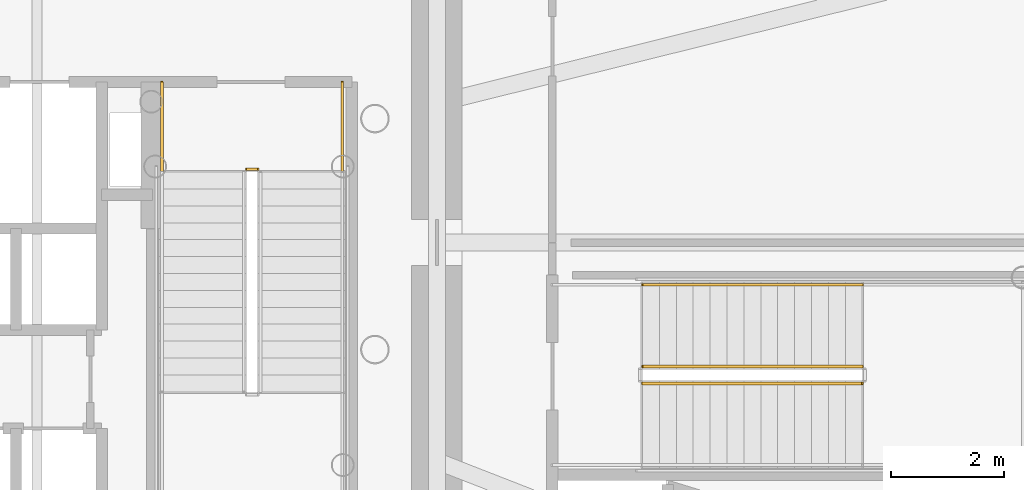
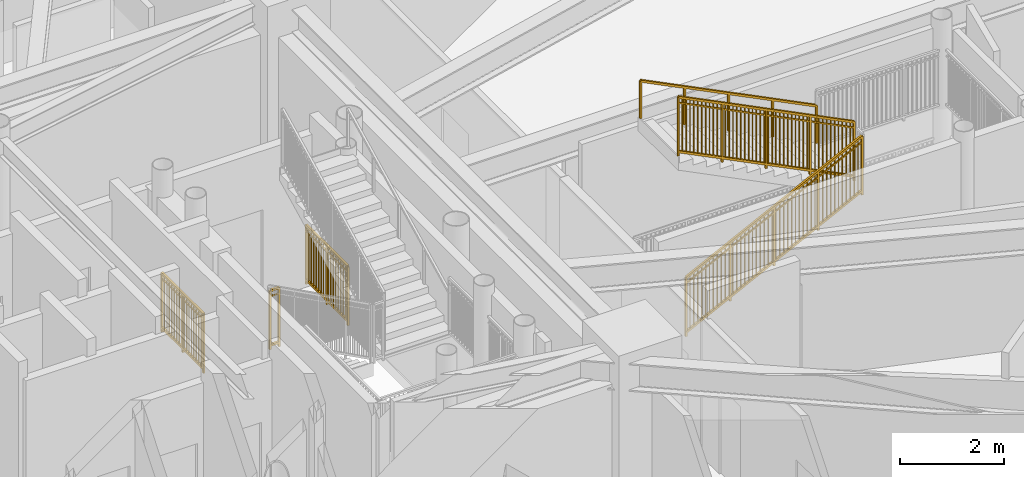
# One storey, part 30 of 32: 6 railings.
"""IFC4 building model written with IfcOpenShell, lengths in metres."""

from ifc_helpers import new_model, si_unit, direction, frame, origin, origin_2d, place, context, subcontext, project, spatial, rectangle, extrude, source, transform, mapped, material, type_object, element, save


model = new_model("IFC4")

# Units and contexts
model_context = context("Model", 3, precision=1e-05, world=origin(), true_north=direction((0.0, 1.0)))
body_context = subcontext(model_context, "Body", "Model", "MODEL_VIEW")
ifc_project = project(units=[si_unit("LENGTHUNIT", "METRE"), si_unit("AREAUNIT", "SQUARE_METRE"), si_unit("VOLUMEUNIT", "CUBIC_METRE"), si_unit("PLANEANGLEUNIT", "RADIAN"), si_unit("MASSUNIT", "GRAM", prefix="KILO")], contexts=[model_context])

# Site, building, storey
site_placement = place(None, origin())
site = spatial("IfcSite", under=ifc_project, at=site_placement, CompositionType="ELEMENT")
building_placement = place(site_placement, origin())
building = spatial("IfcBuilding", under=site, at=building_placement, Name="Linh Dai School and Residence Tower", CompositionType="ELEMENT")
storey_placement = place(building_placement, frame((0.0, 0.0, 40.800048828125)))
storey = spatial("IfcBuildingStorey", under=building, at=storey_placement, Name="L09", CompositionType="ELEMENT", Elevation=40.800048828125)

# Railings
ifc_material_1 = material(Name="Structural Steel S355JR", Category="steel")
railing_type_1 = type_object("IfcRailingType", Name="RL-ST-GUARD-1400", PredefinedType="GUARDRAIL", material=ifc_material_1)
shared_shape_1 = source(origin(), body_context, "Body", "SweptSolid", [
    extrude(rectangle(XDim=0.048095703125, YDim=0.048095703125, at=origin_2d()), frame((0.0, 0.0, 1.3759765625), z_axis=(1.0, 0.0, 0.0), x_axis=(0.0, 1.0, 0.0)), (0.0, 0.0, 1.0), 0.199951171875),
    extrude(rectangle(XDim=0.048095703125, YDim=0.048095703125, at=origin_2d()), frame((0.0, 0.0, 0.10009765625), z_axis=(1.0, 0.0, 0.0), x_axis=(0.0, 1.0, 0.0)), (0.0, 0.0, 1.0), 0.199951171875),
    extrude(rectangle(XDim=0.030029296875, YDim=0.030029296875, at=origin_2d()), frame((0.0, 0.0, 1.239990234375), z_axis=(1.0, 0.0, 0.0), x_axis=(0.0, 1.0, 0.0)), (0.0, 0.0, 1.0), 0.199951171875),
    extrude(rectangle(XDim=0.0419921875, YDim=0.0419921875, at=origin_2d()), origin(), (0.0, 0.0, 1.0), 1.3759765625),
    extrude(rectangle(XDim=0.0419921875, YDim=0.0419921875, at=origin_2d()), frame((0.199951171875, 0.0, 0.0)), (0.0, 0.0, 1.0), 1.3759765625),
])
railing_1_placement = place(storey_placement, frame((42.570068359375, 28.300048828125, 0.0)))
element("IfcRailing", 1, at=railing_1_placement, inside=storey, type_object=railing_type_1, Name="L09 ST2 stair guard 7", PredefinedType="GUARDRAIL", context=body_context, shape_type="MappedRepresentation", body=[
    mapped(shared_shape_1, transform((0.0, 0.0, 0.0), x_axis=(1.0, 0.0, 0.0), y_axis=(0.0, 1.0, 0.0), z_axis=(0.0, 0.0, 1.0), scale=1.0)),
])
shared_shape_2 = source(origin(), body_context, "Body", "SweptSolid", [
    extrude(rectangle(XDim=0.048095703125, YDim=0.048095703125, at=origin_2d()), frame((0.0, 0.0, 1.3759765625), z_axis=(0.0, -1.0, 0.0), x_axis=(1.0, 0.0, 0.0)), (0.0, 0.0, 1.0), 1.60009765625),
    extrude(rectangle(XDim=0.048095703125, YDim=0.048095703125, at=origin_2d()), frame((0.0, 0.0, 0.10009765625), z_axis=(0.0, -1.0, 0.0), x_axis=(1.0, 0.0, 0.0)), (0.0, 0.0, 1.0), 1.60009765625),
    extrude(rectangle(XDim=0.030029296875, YDim=0.030029296875, at=origin_2d()), frame((0.0, 0.0, 1.239990234375), z_axis=(0.0, -1.0, 0.0), x_axis=(1.0, 0.0, 0.0)), (0.0, 0.0, 1.0), 1.60009765625),
    extrude(rectangle(XDim=0.02001953125, YDim=0.02001953125, at=origin_2d()), frame((0.0, -0.09423828125, 0.10009765625)), (0.0, 0.0, 1.0), 1.251708984375),
    extrude(rectangle(XDim=0.02001953125, YDim=0.02001953125, at=origin_2d()), frame((0.0, -0.188232421875, 0.10009765625)), (0.0, 0.0, 1.0), 1.251708984375),
    extrude(rectangle(XDim=0.02001953125, YDim=0.02001953125, at=origin_2d()), frame((0.0, -0.282470703125, 0.10009765625)), (0.0, 0.0, 1.0), 1.251708984375),
    extrude(rectangle(XDim=0.02001953125, YDim=0.02001953125, at=origin_2d()), frame((0.0, -0.37646484375, 0.10009765625)), (0.0, 0.0, 1.0), 1.251708984375),
    extrude(rectangle(XDim=0.02001953125, YDim=0.02001953125, at=origin_2d()), frame((0.0, -0.470703125, 0.10009765625)), (0.0, 0.0, 1.0), 1.251708984375),
    extrude(rectangle(XDim=0.02001953125, YDim=0.02001953125, at=origin_2d()), frame((0.0, -0.564697265625, 0.10009765625)), (0.0, 0.0, 1.0), 1.251708984375),
    extrude(rectangle(XDim=0.02001953125, YDim=0.02001953125, at=origin_2d()), frame((0.0, -0.658935546875, 0.10009765625)), (0.0, 0.0, 1.0), 1.251708984375),
    extrude(rectangle(XDim=0.02001953125, YDim=0.02001953125, at=origin_2d()), frame((0.0, -0.7529296875, 0.10009765625)), (0.0, 0.0, 1.0), 1.251708984375),
    extrude(rectangle(XDim=0.02001953125, YDim=0.02001953125, at=origin_2d()), frame((0.0, -0.84716796875, 0.10009765625)), (0.0, 0.0, 1.0), 1.251708984375),
    extrude(rectangle(XDim=0.02001953125, YDim=0.02001953125, at=origin_2d()), frame((0.0, -0.941162109375, 0.10009765625)), (0.0, 0.0, 1.0), 1.251708984375),
    extrude(rectangle(XDim=0.02001953125, YDim=0.02001953125, at=origin_2d()), frame((0.0, -1.035400390625, 0.10009765625)), (0.0, 0.0, 1.0), 1.251708984375),
    extrude(rectangle(XDim=0.02001953125, YDim=0.02001953125, at=origin_2d()), frame((0.0, -1.12939453125, 0.10009765625)), (0.0, 0.0, 1.0), 1.251708984375),
    extrude(rectangle(XDim=0.02001953125, YDim=0.02001953125, at=origin_2d()), frame((0.0, -1.2236328125, 0.10009765625)), (0.0, 0.0, 1.0), 1.251708984375),
    extrude(rectangle(XDim=0.02001953125, YDim=0.02001953125, at=origin_2d()), frame((0.0, -1.317626953125, 0.10009765625)), (0.0, 0.0, 1.0), 1.251708984375),
    extrude(rectangle(XDim=0.02001953125, YDim=0.02001953125, at=origin_2d()), frame((0.0, -1.411865234375, 0.10009765625)), (0.0, 0.0, 1.0), 1.251708984375),
    extrude(rectangle(XDim=0.02001953125, YDim=0.02001953125, at=origin_2d()), frame((0.0, -1.505859375, 0.10009765625)), (0.0, 0.0, 1.0), 1.251708984375),
    extrude(rectangle(XDim=0.0419921875, YDim=0.0419921875, at=origin_2d()), origin(), (0.0, 0.0, 1.0), 1.3759765625),
    extrude(rectangle(XDim=0.0419921875, YDim=0.0419921875, at=origin_2d()), frame((0.0, -0.800048828125, 0.0)), (0.0, 0.0, 1.0), 1.3759765625),
    extrude(rectangle(XDim=0.0419921875, YDim=0.0419921875, at=origin_2d()), frame((0.0, -1.60009765625, 0.0)), (0.0, 0.0, 1.0), 1.3759765625),
])
for number, where, name in (
    (2, (41.070068359375, 29.85009765625, 0.0), "L09 ST2 stair guard 8"),
    (3, (44.27001953125, 29.85009765625, 0.0), "L09 ST2 stair guard 9"),
):
    element("IfcRailing", number, at=place(storey_placement, frame(where)), inside=storey, type_object=railing_type_1, Name=name, PredefinedType="GUARDRAIL", context=body_context, shape_type="MappedRepresentation", body=[
        mapped(shared_shape_2, transform((0.0, 0.0, 0.0), x_axis=(1.0, 0.0, 0.0), y_axis=(0.0, 1.0, 0.0), z_axis=(0.0, 0.0, 1.0), scale=1.0)),
    ])
shared_shape_3 = source(origin(), body_context, "Body", "SweptSolid", [
    extrude(rectangle(XDim=0.048095703125, YDim=0.048095703125, at=origin_2d()), frame((0.0, 0.0, 1.3759765625), z_axis=(0.894427191, 0.0, 0.4472135955), x_axis=(0.0, 1.0, 0.0)), (0.0, 0.0, 1.0), 4.360107421875),
    extrude(rectangle(XDim=0.048095703125, YDim=0.048095703125, at=origin_2d()), frame((0.0, 0.0, 0.10009765625), z_axis=(0.894427191, 0.0, 0.4472135955), x_axis=(0.0, 1.0, 0.0)), (0.0, 0.0, 1.0), 4.360107421875),
    extrude(rectangle(XDim=0.030029296875, YDim=0.030029296875, at=origin_2d()), frame((0.0, 0.0, 1.239990234375), z_axis=(0.894427191, 0.0, 0.4472135955), x_axis=(0.0, 1.0, 0.0)), (0.0, 0.0, 1.0), 4.360107421875),
    extrude(rectangle(XDim=0.02001953125, YDim=0.02001953125, at=origin_2d()), frame((0.086669921875, 0.0, 0.143310546875)), (0.0, 0.0, 1.0), 1.251708984375),
    extrude(rectangle(XDim=0.02001953125, YDim=0.02001953125, at=origin_2d()), frame((0.17333984375, 0.0, 0.186767578125)), (0.0, 0.0, 1.0), 1.251708984375),
    extrude(rectangle(XDim=0.02001953125, YDim=0.02001953125, at=origin_2d()), frame((0.260009765625, 0.0, 0.22998046875)), (0.0, 0.0, 1.0), 1.251708984375),
    extrude(rectangle(XDim=0.02001953125, YDim=0.02001953125, at=origin_2d()), frame((0.3466796875, 0.0, 0.2734375)), (0.0, 0.0, 1.0), 1.251708984375),
    extrude(rectangle(XDim=0.02001953125, YDim=0.02001953125, at=origin_2d()), frame((0.433349609375, 0.0, 0.316650390625)), (0.0, 0.0, 1.0), 1.251708984375),
    extrude(rectangle(XDim=0.02001953125, YDim=0.02001953125, at=origin_2d()), frame((0.52001953125, 0.0, 0.360107421875)), (0.0, 0.0, 1.0), 1.251708984375),
    extrude(rectangle(XDim=0.02001953125, YDim=0.02001953125, at=origin_2d()), frame((0.606689453125, 0.0, 0.4033203125)), (0.0, 0.0, 1.0), 1.251708984375),
    extrude(rectangle(XDim=0.02001953125, YDim=0.02001953125, at=origin_2d()), frame((0.693359375, 0.0, 0.44677734375)), (0.0, 0.0, 1.0), 1.251708984375),
    extrude(rectangle(XDim=0.02001953125, YDim=0.02001953125, at=origin_2d()), frame((0.780029296875, 0.0, 0.489990234375)), (0.0, 0.0, 1.0), 1.251708984375),
    extrude(rectangle(XDim=0.02001953125, YDim=0.02001953125, at=origin_2d()), frame((0.86669921875, 0.0, 0.533447265625)), (0.0, 0.0, 1.0), 1.251708984375),
    extrude(rectangle(XDim=0.02001953125, YDim=0.02001953125, at=origin_2d()), frame((1.0400390625, 0.0, 0.6201171875)), (0.0, 0.0, 1.0), 1.251708984375),
    extrude(rectangle(XDim=0.02001953125, YDim=0.02001953125, at=origin_2d()), frame((1.126708984375, 0.0, 0.663330078125)), (0.0, 0.0, 1.0), 1.251708984375),
    extrude(rectangle(XDim=0.02001953125, YDim=0.02001953125, at=origin_2d()), frame((1.21337890625, 0.0, 0.706787109375)), (0.0, 0.0, 1.0), 1.251708984375),
    extrude(rectangle(XDim=0.02001953125, YDim=0.02001953125, at=origin_2d()), frame((1.300048828125, 0.0, 0.75)), (0.0, 0.0, 1.0), 1.251708984375),
    extrude(rectangle(XDim=0.02001953125, YDim=0.02001953125, at=origin_2d()), frame((1.38671875, 0.0, 0.79345703125)), (0.0, 0.0, 1.0), 1.251708984375),
    extrude(rectangle(XDim=0.02001953125, YDim=0.02001953125, at=origin_2d()), frame((1.473388671875, 0.0, 0.836669921875)), (0.0, 0.0, 1.0), 1.251708984375),
    extrude(rectangle(XDim=0.02001953125, YDim=0.02001953125, at=origin_2d()), frame((1.56005859375, 0.0, 0.880126953125)), (0.0, 0.0, 1.0), 1.251708984375),
    extrude(rectangle(XDim=0.02001953125, YDim=0.02001953125, at=origin_2d()), frame((1.646728515625, 0.0, 0.92333984375)), (0.0, 0.0, 1.0), 1.251708984375),
    extrude(rectangle(XDim=0.02001953125, YDim=0.02001953125, at=origin_2d()), frame((1.7333984375, 0.0, 0.966796875)), (0.0, 0.0, 1.0), 1.251708984375),
    extrude(rectangle(XDim=0.02001953125, YDim=0.02001953125, at=origin_2d()), frame((1.820068359375, 0.0, 1.010009765625)), (0.0, 0.0, 1.0), 1.251708984375),
    extrude(rectangle(XDim=0.02001953125, YDim=0.02001953125, at=origin_2d()), frame((1.90673828125, 0.0, 1.053466796875)), (0.0, 0.0, 1.0), 1.251708984375),
    extrude(rectangle(XDim=0.02001953125, YDim=0.02001953125, at=origin_2d()), frame((1.9931640625, 0.0, 1.0966796875)), (0.0, 0.0, 1.0), 1.251708984375),
    extrude(rectangle(XDim=0.02001953125, YDim=0.02001953125, at=origin_2d()), frame((2.079833984375, 0.0, 1.14013671875)), (0.0, 0.0, 1.0), 1.251708984375),
    extrude(rectangle(XDim=0.02001953125, YDim=0.02001953125, at=origin_2d()), frame((2.16650390625, 0.0, 1.183349609375)), (0.0, 0.0, 1.0), 1.251708984375),
    extrude(rectangle(XDim=0.02001953125, YDim=0.02001953125, at=origin_2d()), frame((2.253173828125, 0.0, 1.226806640625)), (0.0, 0.0, 1.0), 1.251708984375),
    extrude(rectangle(XDim=0.02001953125, YDim=0.02001953125, at=origin_2d()), frame((2.33984375, 0.0, 1.27001953125)), (0.0, 0.0, 1.0), 1.251708984375),
    extrude(rectangle(XDim=0.02001953125, YDim=0.02001953125, at=origin_2d()), frame((2.426513671875, 0.0, 1.3134765625)), (0.0, 0.0, 1.0), 1.251708984375),
    extrude(rectangle(XDim=0.02001953125, YDim=0.02001953125, at=origin_2d()), frame((2.51318359375, 0.0, 1.356689453125)), (0.0, 0.0, 1.0), 1.251708984375),
    extrude(rectangle(XDim=0.02001953125, YDim=0.02001953125, at=origin_2d()), frame((2.599853515625, 0.0, 1.400146484375)), (0.0, 0.0, 1.0), 1.251708984375),
    extrude(rectangle(XDim=0.02001953125, YDim=0.02001953125, at=origin_2d()), frame((2.6865234375, 0.0, 1.443359375)), (0.0, 0.0, 1.0), 1.251708984375),
    extrude(rectangle(XDim=0.02001953125, YDim=0.02001953125, at=origin_2d()), frame((2.773193359375, 0.0, 1.48681640625)), (0.0, 0.0, 1.0), 1.251708984375),
    extrude(rectangle(XDim=0.02001953125, YDim=0.02001953125, at=origin_2d()), frame((2.85986328125, 0.0, 1.530029296875)), (0.0, 0.0, 1.0), 1.251708984375),
    extrude(rectangle(XDim=0.02001953125, YDim=0.02001953125, at=origin_2d()), frame((3.033203125, 0.0, 1.61669921875)), (0.0, 0.0, 1.0), 1.251708984375),
    extrude(rectangle(XDim=0.02001953125, YDim=0.02001953125, at=origin_2d()), frame((3.119873046875, 0.0, 1.66015625)), (0.0, 0.0, 1.0), 1.251708984375),
    extrude(rectangle(XDim=0.02001953125, YDim=0.02001953125, at=origin_2d()), frame((3.20654296875, 0.0, 1.703369140625)), (0.0, 0.0, 1.0), 1.251708984375),
    extrude(rectangle(XDim=0.02001953125, YDim=0.02001953125, at=origin_2d()), frame((3.293212890625, 0.0, 1.746826171875)), (0.0, 0.0, 1.0), 1.251708984375),
    extrude(rectangle(XDim=0.02001953125, YDim=0.02001953125, at=origin_2d()), frame((3.3798828125, 0.0, 1.7900390625)), (0.0, 0.0, 1.0), 1.251708984375),
    extrude(rectangle(XDim=0.02001953125, YDim=0.02001953125, at=origin_2d()), frame((3.466552734375, 0.0, 1.83349609375)), (0.0, 0.0, 1.0), 1.251708984375),
    extrude(rectangle(XDim=0.02001953125, YDim=0.02001953125, at=origin_2d()), frame((3.55322265625, 0.0, 1.876708984375)), (0.0, 0.0, 1.0), 1.251708984375),
    extrude(rectangle(XDim=0.02001953125, YDim=0.02001953125, at=origin_2d()), frame((3.639892578125, 0.0, 1.920166015625)), (0.0, 0.0, 1.0), 1.251708984375),
    extrude(rectangle(XDim=0.02001953125, YDim=0.02001953125, at=origin_2d()), frame((3.7265625, 0.0, 1.96337890625)), (0.0, 0.0, 1.0), 1.251708984375),
    extrude(rectangle(XDim=0.02001953125, YDim=0.02001953125, at=origin_2d()), frame((3.813232421875, 0.0, 2.0068359375)), (0.0, 0.0, 1.0), 1.251708984375),
    extrude(rectangle(XDim=0.0419921875, YDim=0.0419921875, at=origin_2d()), origin(), (0.0, 0.0, 1.0), 1.3759765625),
    extrude(rectangle(XDim=0.0419921875, YDim=0.0419921875, at=origin_2d()), frame((0.97509765625, 0.0, 0.487548828125)), (0.0, 0.0, 1.0), 1.3759765625),
    extrude(rectangle(XDim=0.0419921875, YDim=0.0419921875, at=origin_2d()), frame((1.949951171875, 0.0, 0.97509765625)), (0.0, 0.0, 1.0), 1.3759765625),
    extrude(rectangle(XDim=0.0419921875, YDim=0.0419921875, at=origin_2d()), frame((2.9248046875, 0.0, 1.46240234375)), (0.0, 0.0, 1.0), 1.3759765625),
    extrude(rectangle(XDim=0.0419921875, YDim=0.0419921875, at=origin_2d()), frame((3.89990234375, 0.0, 1.949951171875)), (0.0, 0.0, 1.0), 1.3759765625),
])
railing_2_placement = place(storey_placement, frame((49.60009765625, 24.5, 0.14990234375)))
element("IfcRailing", 4, at=railing_2_placement, inside=storey, type_object=railing_type_1, Name="L09 STS2 stair guard 1", PredefinedType="GUARDRAIL", context=body_context, shape_type="MappedRepresentation", body=[
    mapped(shared_shape_3, transform((0.0, 0.0, 0.0), x_axis=(1.0, 0.0, 0.0), y_axis=(0.0, 1.0, 0.0), z_axis=(0.0, 0.0, 1.0), scale=1.0)),
])
shared_shape_4 = source(origin(), body_context, "Body", "SweptSolid", [
    extrude(rectangle(XDim=0.048095703125, YDim=0.048095703125, at=origin_2d()), frame((0.0, 0.0, 1.3759765625), z_axis=(-0.894427191, 0.0, 0.4472135955), x_axis=(0.0, -1.0, 0.0)), (0.0, 0.0, 1.0), 4.360107421875),
    extrude(rectangle(XDim=0.048095703125, YDim=0.048095703125, at=origin_2d()), frame((0.0, 0.0, 0.10009765625), z_axis=(-0.894427191, 0.0, 0.4472135955), x_axis=(0.0, -1.0, 0.0)), (0.0, 0.0, 1.0), 4.360107421875),
    extrude(rectangle(XDim=0.030029296875, YDim=0.030029296875, at=origin_2d()), frame((0.0, 0.0, 1.239990234375), z_axis=(-0.894427191, 0.0, 0.4472135955), x_axis=(0.0, -1.0, 0.0)), (0.0, 0.0, 1.0), 4.360107421875),
    extrude(rectangle(XDim=0.02001953125, YDim=0.02001953125, at=origin_2d()), frame((-0.086669921875, 0.0, 0.143310546875)), (0.0, 0.0, 1.0), 1.251708984375),
    extrude(rectangle(XDim=0.02001953125, YDim=0.02001953125, at=origin_2d()), frame((-0.17333984375, 0.0, 0.186767578125)), (0.0, 0.0, 1.0), 1.251708984375),
    extrude(rectangle(XDim=0.02001953125, YDim=0.02001953125, at=origin_2d()), frame((-0.260009765625, 0.0, 0.22998046875)), (0.0, 0.0, 1.0), 1.251708984375),
    extrude(rectangle(XDim=0.02001953125, YDim=0.02001953125, at=origin_2d()), frame((-0.3466796875, 0.0, 0.2734375)), (0.0, 0.0, 1.0), 1.251708984375),
    extrude(rectangle(XDim=0.02001953125, YDim=0.02001953125, at=origin_2d()), frame((-0.433349609375, 0.0, 0.316650390625)), (0.0, 0.0, 1.0), 1.251708984375),
    extrude(rectangle(XDim=0.02001953125, YDim=0.02001953125, at=origin_2d()), frame((-0.52001953125, 0.0, 0.360107421875)), (0.0, 0.0, 1.0), 1.251708984375),
    extrude(rectangle(XDim=0.02001953125, YDim=0.02001953125, at=origin_2d()), frame((-0.606689453125, 0.0, 0.4033203125)), (0.0, 0.0, 1.0), 1.251708984375),
    extrude(rectangle(XDim=0.02001953125, YDim=0.02001953125, at=origin_2d()), frame((-0.693359375, 0.0, 0.44677734375)), (0.0, 0.0, 1.0), 1.251708984375),
    extrude(rectangle(XDim=0.02001953125, YDim=0.02001953125, at=origin_2d()), frame((-0.780029296875, 0.0, 0.489990234375)), (0.0, 0.0, 1.0), 1.251708984375),
    extrude(rectangle(XDim=0.02001953125, YDim=0.02001953125, at=origin_2d()), frame((-0.86669921875, 0.0, 0.533447265625)), (0.0, 0.0, 1.0), 1.251708984375),
    extrude(rectangle(XDim=0.02001953125, YDim=0.02001953125, at=origin_2d()), frame((-1.0400390625, 0.0, 0.6201171875)), (0.0, 0.0, 1.0), 1.251708984375),
    extrude(rectangle(XDim=0.02001953125, YDim=0.02001953125, at=origin_2d()), frame((-1.126708984375, 0.0, 0.663330078125)), (0.0, 0.0, 1.0), 1.251708984375),
    extrude(rectangle(XDim=0.02001953125, YDim=0.02001953125, at=origin_2d()), frame((-1.21337890625, 0.0, 0.706787109375)), (0.0, 0.0, 1.0), 1.251708984375),
    extrude(rectangle(XDim=0.02001953125, YDim=0.02001953125, at=origin_2d()), frame((-1.300048828125, 0.0, 0.75)), (0.0, 0.0, 1.0), 1.251708984375),
    extrude(rectangle(XDim=0.02001953125, YDim=0.02001953125, at=origin_2d()), frame((-1.38671875, 0.0, 0.79345703125)), (0.0, 0.0, 1.0), 1.251708984375),
    extrude(rectangle(XDim=0.02001953125, YDim=0.02001953125, at=origin_2d()), frame((-1.473388671875, 0.0, 0.836669921875)), (0.0, 0.0, 1.0), 1.251708984375),
    extrude(rectangle(XDim=0.02001953125, YDim=0.02001953125, at=origin_2d()), frame((-1.56005859375, 0.0, 0.880126953125)), (0.0, 0.0, 1.0), 1.251708984375),
    extrude(rectangle(XDim=0.02001953125, YDim=0.02001953125, at=origin_2d()), frame((-1.646728515625, 0.0, 0.92333984375)), (0.0, 0.0, 1.0), 1.251708984375),
    extrude(rectangle(XDim=0.02001953125, YDim=0.02001953125, at=origin_2d()), frame((-1.7333984375, 0.0, 0.966796875)), (0.0, 0.0, 1.0), 1.251708984375),
    extrude(rectangle(XDim=0.02001953125, YDim=0.02001953125, at=origin_2d()), frame((-1.820068359375, 0.0, 1.010009765625)), (0.0, 0.0, 1.0), 1.251708984375),
    extrude(rectangle(XDim=0.02001953125, YDim=0.02001953125, at=origin_2d()), frame((-1.90673828125, 0.0, 1.053466796875)), (0.0, 0.0, 1.0), 1.251708984375),
    extrude(rectangle(XDim=0.02001953125, YDim=0.02001953125, at=origin_2d()), frame((-1.9931640625, 0.0, 1.0966796875)), (0.0, 0.0, 1.0), 1.251708984375),
    extrude(rectangle(XDim=0.02001953125, YDim=0.02001953125, at=origin_2d()), frame((-2.079833984375, 0.0, 1.14013671875)), (0.0, 0.0, 1.0), 1.251708984375),
    extrude(rectangle(XDim=0.02001953125, YDim=0.02001953125, at=origin_2d()), frame((-2.16650390625, 0.0, 1.183349609375)), (0.0, 0.0, 1.0), 1.251708984375),
    extrude(rectangle(XDim=0.02001953125, YDim=0.02001953125, at=origin_2d()), frame((-2.253173828125, 0.0, 1.226806640625)), (0.0, 0.0, 1.0), 1.251708984375),
    extrude(rectangle(XDim=0.02001953125, YDim=0.02001953125, at=origin_2d()), frame((-2.33984375, 0.0, 1.27001953125)), (0.0, 0.0, 1.0), 1.251708984375),
    extrude(rectangle(XDim=0.02001953125, YDim=0.02001953125, at=origin_2d()), frame((-2.426513671875, 0.0, 1.3134765625)), (0.0, 0.0, 1.0), 1.251708984375),
    extrude(rectangle(XDim=0.02001953125, YDim=0.02001953125, at=origin_2d()), frame((-2.51318359375, 0.0, 1.356689453125)), (0.0, 0.0, 1.0), 1.251708984375),
    extrude(rectangle(XDim=0.02001953125, YDim=0.02001953125, at=origin_2d()), frame((-2.599853515625, 0.0, 1.400146484375)), (0.0, 0.0, 1.0), 1.251708984375),
    extrude(rectangle(XDim=0.02001953125, YDim=0.02001953125, at=origin_2d()), frame((-2.6865234375, 0.0, 1.443359375)), (0.0, 0.0, 1.0), 1.251708984375),
    extrude(rectangle(XDim=0.02001953125, YDim=0.02001953125, at=origin_2d()), frame((-2.773193359375, 0.0, 1.48681640625)), (0.0, 0.0, 1.0), 1.251708984375),
    extrude(rectangle(XDim=0.02001953125, YDim=0.02001953125, at=origin_2d()), frame((-2.85986328125, 0.0, 1.530029296875)), (0.0, 0.0, 1.0), 1.251708984375),
    extrude(rectangle(XDim=0.02001953125, YDim=0.02001953125, at=origin_2d()), frame((-3.033203125, 0.0, 1.61669921875)), (0.0, 0.0, 1.0), 1.251708984375),
    extrude(rectangle(XDim=0.02001953125, YDim=0.02001953125, at=origin_2d()), frame((-3.119873046875, 0.0, 1.66015625)), (0.0, 0.0, 1.0), 1.251708984375),
    extrude(rectangle(XDim=0.02001953125, YDim=0.02001953125, at=origin_2d()), frame((-3.20654296875, 0.0, 1.703369140625)), (0.0, 0.0, 1.0), 1.251708984375),
    extrude(rectangle(XDim=0.02001953125, YDim=0.02001953125, at=origin_2d()), frame((-3.293212890625, 0.0, 1.746826171875)), (0.0, 0.0, 1.0), 1.251708984375),
    extrude(rectangle(XDim=0.02001953125, YDim=0.02001953125, at=origin_2d()), frame((-3.3798828125, 0.0, 1.7900390625)), (0.0, 0.0, 1.0), 1.251708984375),
    extrude(rectangle(XDim=0.02001953125, YDim=0.02001953125, at=origin_2d()), frame((-3.466552734375, 0.0, 1.83349609375)), (0.0, 0.0, 1.0), 1.251708984375),
    extrude(rectangle(XDim=0.02001953125, YDim=0.02001953125, at=origin_2d()), frame((-3.55322265625, 0.0, 1.876708984375)), (0.0, 0.0, 1.0), 1.251708984375),
    extrude(rectangle(XDim=0.02001953125, YDim=0.02001953125, at=origin_2d()), frame((-3.639892578125, 0.0, 1.920166015625)), (0.0, 0.0, 1.0), 1.251708984375),
    extrude(rectangle(XDim=0.02001953125, YDim=0.02001953125, at=origin_2d()), frame((-3.7265625, 0.0, 1.96337890625)), (0.0, 0.0, 1.0), 1.251708984375),
    extrude(rectangle(XDim=0.02001953125, YDim=0.02001953125, at=origin_2d()), frame((-3.813232421875, 0.0, 2.0068359375)), (0.0, 0.0, 1.0), 1.251708984375),
    extrude(rectangle(XDim=0.0419921875, YDim=0.0419921875, at=origin_2d()), origin(), (0.0, 0.0, 1.0), 1.3759765625),
    extrude(rectangle(XDim=0.0419921875, YDim=0.0419921875, at=origin_2d()), frame((-0.97509765625, 0.0, 0.487548828125)), (0.0, 0.0, 1.0), 1.3759765625),
    extrude(rectangle(XDim=0.0419921875, YDim=0.0419921875, at=origin_2d()), frame((-1.949951171875, 0.0, 0.97509765625)), (0.0, 0.0, 1.0), 1.3759765625),
    extrude(rectangle(XDim=0.0419921875, YDim=0.0419921875, at=origin_2d()), frame((-2.9248046875, 0.0, 1.46240234375)), (0.0, 0.0, 1.0), 1.3759765625),
    extrude(rectangle(XDim=0.0419921875, YDim=0.0419921875, at=origin_2d()), frame((-3.89990234375, 0.0, 1.949951171875)), (0.0, 0.0, 1.0), 1.3759765625),
])
railing_3_placement = place(storey_placement, frame((53.5, 24.800048828125, 2.25)))
element("IfcRailing", 5, at=railing_3_placement, inside=storey, type_object=railing_type_1, Name="L09 STS2 stair guard 6", PredefinedType="GUARDRAIL", context=body_context, shape_type="MappedRepresentation", body=[
    mapped(shared_shape_4, transform((0.0, 0.0, 0.0), x_axis=(1.0, 0.0, 0.0), y_axis=(0.0, 1.0, 0.0), z_axis=(0.0, 0.0, 1.0), scale=1.0)),
])
ifc_material_2 = material(Name="Brushed Stainless Steel Handrail", Category="steel")
railing_type_2 = type_object("IfcRailingType", Name="RL-ST-HANDRAIL-900", PredefinedType="HANDRAIL", material=ifc_material_2)
shared_shape_5 = source(origin(), body_context, "Body", "SweptSolid", [
    extrude(rectangle(XDim=0.048095703125, YDim=0.048095703125, at=origin_2d()), frame((0.0, 0.0, 0.8759765625), z_axis=(-0.894427191, 0.0, 0.4472135955), x_axis=(0.0, -1.0, 0.0)), (0.0, 0.0, 1.0), 4.360107421875),
    extrude(rectangle(XDim=0.0419921875, YDim=0.0419921875, at=origin_2d()), origin(), (0.0, 0.0, 1.0), 0.8759765625),
    extrude(rectangle(XDim=0.0419921875, YDim=0.0419921875, at=origin_2d()), frame((-0.97509765625, 0.0, 0.487548828125)), (0.0, 0.0, 1.0), 0.8759765625),
    extrude(rectangle(XDim=0.0419921875, YDim=0.0419921875, at=origin_2d()), frame((-1.949951171875, 0.0, 0.97509765625)), (0.0, 0.0, 1.0), 0.8759765625),
    extrude(rectangle(XDim=0.0419921875, YDim=0.0419921875, at=origin_2d()), frame((-2.9248046875, 0.0, 1.46240234375)), (0.0, 0.0, 1.0), 0.8759765625),
    extrude(rectangle(XDim=0.0419921875, YDim=0.0419921875, at=origin_2d()), frame((-3.89990234375, 0.0, 1.949951171875)), (0.0, 0.0, 1.0), 0.8759765625),
])
railing_4_placement = place(storey_placement, frame((53.5, 26.25, 2.25)))
element("IfcRailing", 6, at=railing_4_placement, inside=storey, type_object=railing_type_2, Name="L09 STS2 stair handrail 2", PredefinedType="HANDRAIL", context=body_context, shape_type="MappedRepresentation", body=[
    mapped(shared_shape_5, transform((0.0, 0.0, 0.0), x_axis=(1.0, 0.0, 0.0), y_axis=(0.0, 1.0, 0.0), z_axis=(0.0, 0.0, 1.0), scale=1.0)),
])

save(model, "model.ifc")
